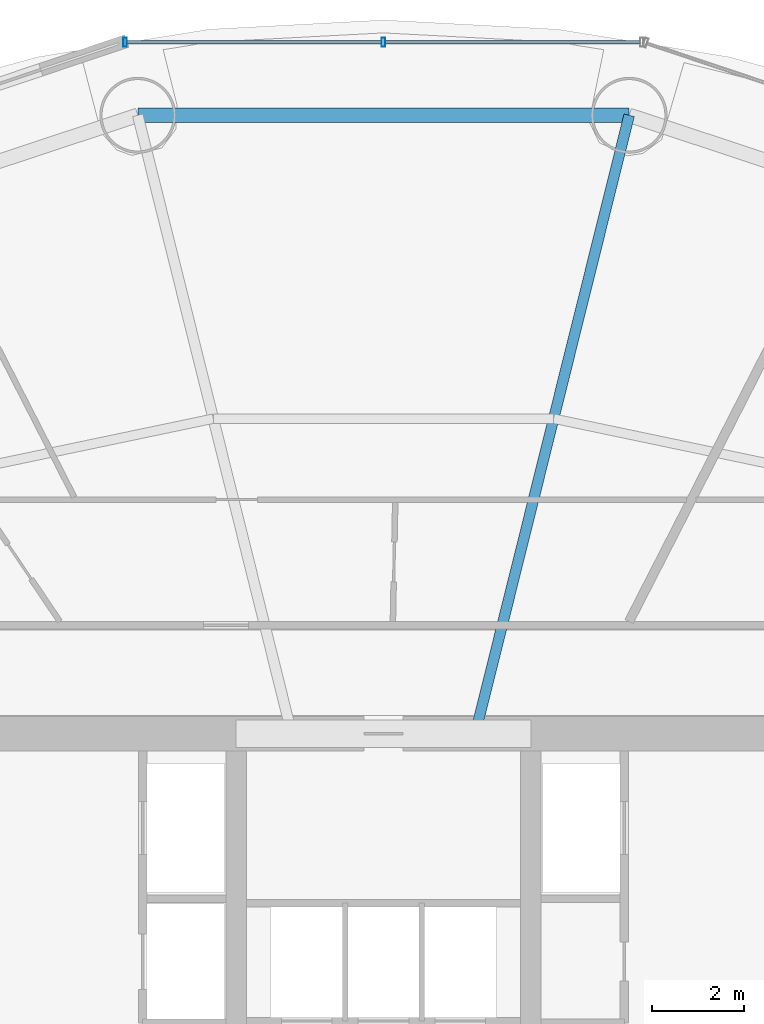
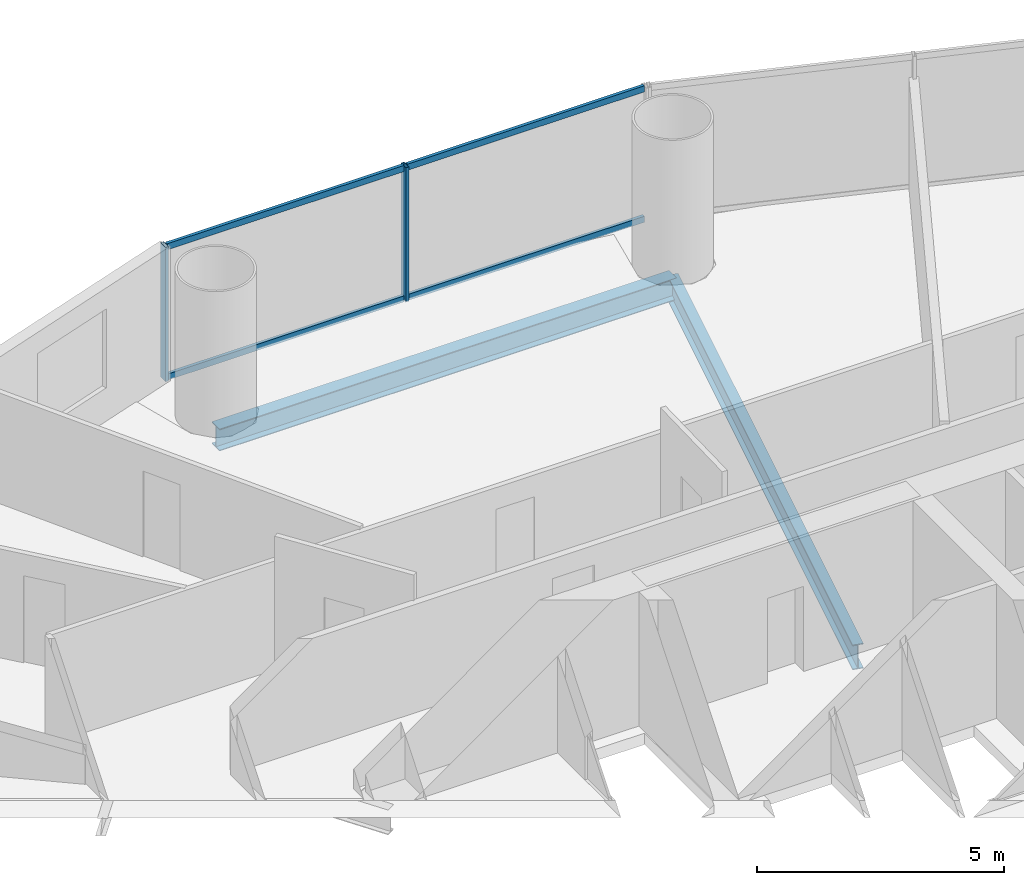
# One storey, part 18 of 30: 6 members, 2 beams, 1 element without a shape of its own.
"""IFC4 building model written with IfcOpenShell, lengths in metres."""

from ifc_helpers import new_model, si_unit, direction, frame, origin, origin_2d, place, context, subcontext, project, spatial, hollow_rectangle, i_section, extrude, source, transform, mapped, material, material_profile, profile_set, type_object, element, aggregate, save


model = new_model("IFC4")

# Units and contexts
model_context = context("Model", 3, precision=1e-05, world=origin(), true_north=direction((-0.2419218956, 0.970295726276)))
body_context = subcontext(model_context, "Body", "Model", "MODEL_VIEW")
ifc_project = project(units=[si_unit("LENGTHUNIT", "METRE"), si_unit("AREAUNIT", "SQUARE_METRE"), si_unit("VOLUMEUNIT", "CUBIC_METRE"), si_unit("PLANEANGLEUNIT", "RADIAN"), si_unit("MASSUNIT", "GRAM", prefix="KILO")], contexts=[model_context])

# Site, building, storey
site_placement = place(None, origin())
site = spatial("IfcSite", under=ifc_project, at=site_placement, CompositionType="ELEMENT")
building_placement = place(site_placement, origin())
building = spatial("IfcBuilding", under=site, at=building_placement, Name="Cobrevalo Terracotta Tower", CompositionType="ELEMENT")
storey_placement = place(building_placement, frame((0.0, 0.0, 27.60009765625)))
storey = spatial("IfcBuildingStorey", under=building, at=storey_placement, Name="L06", CompositionType="ELEMENT", Elevation=27.60009765625)

# Beams
ifc_material_1 = material(Name="Steel S355", Category="steel")
ifc_material_profile_1 = material_profile(ifc_material_1, i_section(OverallWidth=0.22998046875, OverallDepth=0.616943359375, WebThickness=0.01318359375, FlangeThickness=0.022216796875, at=origin_2d()), Name="W 610x140")
ifc_profile_set_1 = profile_set([ifc_material_profile_1], Name="Steel S355")
beam_type_1 = type_object("IfcBeamType", Name="Structural Beam W 610x140 (Steel S355)", PredefinedType="BEAM", material=ifc_profile_set_1)
beam_1_placement = place(storey_placement, frame((43.335693359375, 48.230224609375, -0.588623046875), z_axis=(-0.241596254786, -0.970376859614, 0.0), x_axis=(0.970376859614, -0.241596254786, 0.0)))
element("IfcBeam", 1, at=beam_1_placement, inside=storey, type_object=beam_type_1, Name="L06 radial floor girder 04", PredefinedType="BEAM", context=body_context, shape_type="SweptSolid", body=[
    extrude(i_section(OverallWidth=0.22998046875, OverallDepth=0.616943359375, WebThickness=0.01318359375, FlangeThickness=0.022216796875, at=origin_2d()), origin(), (0.0, 0.0, 1.0), 13.577392578125),
])
ifc_material_profile_2 = material_profile(ifc_material_1, i_section(OverallWidth=0.31201171875, OverallDepth=0.54296875, WebThickness=0.0126953125, FlangeThickness=0.020263671875, at=origin_2d()), Name="W 530x150")
ifc_profile_set_2 = profile_set([ifc_material_profile_2], Name="Steel S355")
beam_type_2 = type_object("IfcBeamType", Name="Structural Spandrel W 530x150 (Steel S355)", PredefinedType="SPANDREL", material=ifc_profile_set_2)
beam_2_placement = place(storey_placement, frame((43.335693359375, 48.230224609375, -0.551513671875), z_axis=(-1.0, 0.0, 0.0), x_axis=(0.0, -1.0, 0.0)))
element("IfcBeam", 2, at=beam_2_placement, inside=storey, type_object=beam_type_2, Name="L06 perimeter ring spandrel 04", PredefinedType="SPANDREL", context=body_context, shape_type="SweptSolid", body=[
    extrude(i_section(OverallWidth=0.31201171875, OverallDepth=0.54296875, WebThickness=0.0126953125, FlangeThickness=0.020263671875, at=origin_2d()), origin(), (0.0, 0.0, 1.0), 10.67138671875),
])

# Curtain wall, members
ifc_material_2 = material(Name="Anodized aluminium", Category="aluminium")
curtain_wall_type = type_object("IfcCurtainWallType", Name="Lower-tower unitised acoustic low-E curtain wall CW-U1", PredefinedType="NOTDEFINED", material=ifc_material_2)
curtain_wall_placement = place(storey_placement, origin())
curtain_wall = element("IfcCurtainWall", 3, at=curtain_wall_placement, inside=storey, type_object=curtain_wall_type, Name="L06 curtain wall CW-L06-S04", PredefinedType="NOTDEFINED")
ifc_material_profile_3 = material_profile(ifc_material_2, hollow_rectangle(XDim=0.074951171875, YDim=0.14990234375, WallThickness=0.00439453125, at=origin_2d()), Name="CWT 75x150")
ifc_profile_set_3 = profile_set([ifc_material_profile_3], Name="Anodized aluminium")
member_type_1 = type_object("IfcMemberType", Name="Tower unitised aluminium transom 75x150", PredefinedType="USERDEFINED", material=ifc_profile_set_3)
shared_shape_1 = source(origin(), body_context, "Body", "SweptSolid", [
    extrude(hollow_rectangle(XDim=0.074951171875, YDim=0.14990234375, WallThickness=0.00439453125, at=origin_2d()), origin(), (0.0, 0.0, 1.0), 5.53173828125),
])
member_1_placement = place(storey_placement, frame((43.57177734375, 49.819091796875, 0.0498046875), z_axis=(-1.0, 0.0, 0.0), x_axis=(0.0, -1.0, 0.0)))
member_1 = element("IfcMember", 4, at=member_1_placement, type_object=member_type_1, Name="CW-L06-S04 transom B01-T1", ObjectType="TRANSOM", PredefinedType="USERDEFINED", context=body_context, shape_type="MappedRepresentation", body=[
    mapped(shared_shape_1, transform((0.0, 0.0, 0.0), scale=1.0)),
])
member_2_placement = place(storey_placement, frame((43.57177734375, 49.819091796875, 3.27001953125), z_axis=(-1.0, 0.0, 0.0), x_axis=(0.0, -1.0, 0.0)))
member_2 = element("IfcMember", 5, at=member_2_placement, type_object=member_type_1, Name="CW-L06-S04 transom B01-T2", ObjectType="TRANSOM", PredefinedType="USERDEFINED", context=body_context, shape_type="MappedRepresentation", body=[
    mapped(shared_shape_1, transform((0.0, 0.0, 0.0), scale=1.0)),
])
member_3_placement = place(storey_placement, frame((37.9599609375, 49.819091796875, 0.0498046875), z_axis=(-1.0, 0.0, 0.0), x_axis=(0.0, -1.0, 0.0)))
member_3 = element("IfcMember", 6, at=member_3_placement, type_object=member_type_1, Name="CW-L06-S04 transom B02-T1", ObjectType="TRANSOM", PredefinedType="USERDEFINED", context=body_context, shape_type="MappedRepresentation", body=[
    mapped(shared_shape_1, transform((0.0, 0.0, 0.0), scale=1.0)),
])
member_4_placement = place(storey_placement, frame((37.9599609375, 49.819091796875, 3.27001953125), z_axis=(-1.0, 0.0, 0.0), x_axis=(0.0, -1.0, 0.0)))
member_4 = element("IfcMember", 7, at=member_4_placement, type_object=member_type_1, Name="CW-L06-S04 transom B02-T2", ObjectType="TRANSOM", PredefinedType="USERDEFINED", context=body_context, shape_type="MappedRepresentation", body=[
    mapped(shared_shape_1, transform((0.0, 0.0, 0.0), scale=1.0)),
])
ifc_material_profile_4 = material_profile(ifc_material_2, hollow_rectangle(XDim=0.074951171875, YDim=0.199951171875, WallThickness=0.0048828125, at=origin_2d()), Name="CWM 75x200")
ifc_profile_set_4 = profile_set([ifc_material_profile_4], Name="Anodized aluminium")
member_type_2 = type_object("IfcMemberType", Name="Lower/mid tower unitised mullion 75x200", PredefinedType="MULLION", material=ifc_profile_set_4)
shared_shape_2 = source(origin(), body_context, "Body", "SweptSolid", [
    extrude(hollow_rectangle(XDim=0.074951171875, YDim=0.199951171875, WallThickness=0.0048828125, at=origin_2d()), origin(), (0.0, 0.0, 1.0), 3.31982421875),
])
member_5_placement = place(storey_placement, frame((38.0, 49.819091796875, 0.0), z_axis=(0.0, 0.0, 1.0), x_axis=(-1.0, 0.0, 0.0)))
member_5 = element("IfcMember", 8, at=member_5_placement, type_object=member_type_2, Name="CW-L06-S04 vertical mullion 02", PredefinedType="MULLION", context=body_context, shape_type="MappedRepresentation", body=[
    mapped(shared_shape_2, transform((0.0, 0.0, 0.0), scale=1.0)),
])
member_6_placement = place(storey_placement, frame((32.38818359375, 49.819091796875, 0.0), z_axis=(0.0, 0.0, 1.0), x_axis=(-1.0, 0.0, 0.0)))
member_6 = element("IfcMember", 9, at=member_6_placement, type_object=member_type_2, Name="CW-L06-S04 vertical mullion 03", PredefinedType="MULLION", context=body_context, shape_type="MappedRepresentation", body=[
    mapped(shared_shape_2, transform((0.0, 0.0, 0.0), scale=1.0)),
])
aggregate(curtain_wall, [member_5, member_6, member_1, member_2, member_3, member_4])

save(model, "model.ifc")
